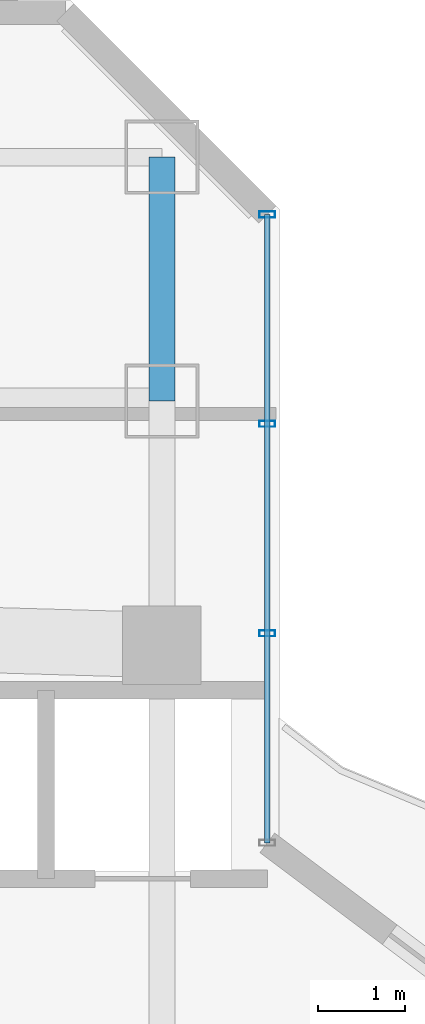
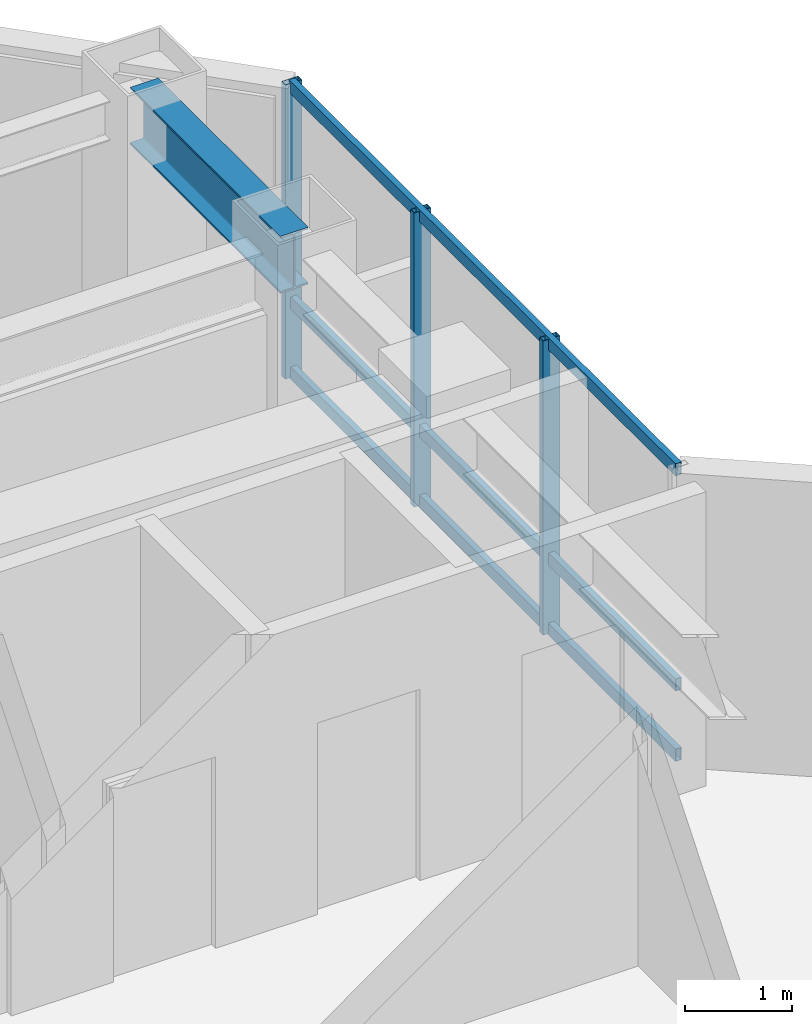
# One storey, part 19 of 27: 6 members, 1 beam, 1 element without a shape of its own.
"""IFC4 building model written with IfcOpenShell, lengths in metres."""

from ifc_helpers import new_model, si_unit, direction, frame, origin, origin_2d, place, context, subcontext, project, spatial, hollow_rectangle, i_section, extrude, material, layer, layer_set, material_profile, profile_set, type_object, element, aggregate, save


model = new_model("IFC4")

# Units and contexts
model_context = context("Model", 3, precision=1e-05, world=origin(), true_north=direction((0.0, 1.0)))
body_context = subcontext(model_context, "Body", "Model", "MODEL_VIEW")
ifc_project = project(units=[si_unit("LENGTHUNIT", "METRE"), si_unit("AREAUNIT", "SQUARE_METRE"), si_unit("VOLUMEUNIT", "CUBIC_METRE"), si_unit("PLANEANGLEUNIT", "RADIAN"), si_unit("MASSUNIT", "GRAM", prefix="KILO")], contexts=[model_context])

# Site, building, storey
site_placement = place(None, origin())
site = spatial("IfcSite", under=ifc_project, at=site_placement, CompositionType="ELEMENT")
building_placement = place(site_placement, origin())
building = spatial("IfcBuilding", under=site, at=building_placement, Name="Hatsunagi Terrace Concourse", CompositionType="ELEMENT")
storey_placement = place(building_placement, frame((0.0, 0.0, 156.449951171875)))
storey = spatial("IfcBuildingStorey", under=building, at=storey_placement, Name="L41", CompositionType="ELEMENT", Elevation=156.449951171875)

# Curtain wall, members
ifc_material_1 = material(Name="Anodised Aluminium Alloy 6063-T5", Category="aluminium")
ifc_layer = layer(ifc_material_1, 0.199951171875)
ifc_layer_set = layer_set([ifc_layer], Name="OfficeZone1_CW03")
curtain_wall_type = type_object("IfcCurtainWallType", Name="OfficeZone1_CW03", PredefinedType="NOTDEFINED", material=ifc_layer_set)
curtain_wall_placement = place(storey_placement, origin())
curtain_wall = element("IfcCurtainWall", 1, at=curtain_wall_placement, inside=storey, type_object=curtain_wall_type, Name="Unitised Curtain Wall CW-03 CW-L41-13", PredefinedType="NOTDEFINED")
ifc_material_2 = material(Name="Anodised Aluminium Alloy 6063-T5", Category="aluminium")
ifc_material_profile_1 = material_profile(ifc_material_2, hollow_rectangle(XDim=0.070068359375, YDim=0.179931640625, WallThickness=0.00390625, at=origin_2d()), Name="ALU-MUL-180x70x4")
ifc_profile_set_1 = profile_set([ifc_material_profile_1], Name="Anodised Aluminium Alloy 6063-T5")
member_type_1 = type_object("IfcMemberType", Name="CurtainWallMullion_180x70", PredefinedType="MULLION", material=ifc_profile_set_1)
member_1_placement = place(storey_placement, frame((44.860107421875, 47.94189453125, 0.0), z_axis=(0.0, 0.0, 1.0), x_axis=(0.0, -1.0, 0.0)))
member_1 = element("IfcMember", 2, at=member_1_placement, type_object=member_type_1, Name="Curtain Wall Mullion MUL-02", PredefinedType="MULLION", context=body_context, shape_type="SweptSolid", body=[
    extrude(hollow_rectangle(XDim=0.070068359375, YDim=0.179931640625, WallThickness=0.00390625, at=origin_2d()), origin(), (0.0, 0.0, 1.0), 3.35009765625),
])
member_2_placement = place(storey_placement, frame((44.860107421875, 45.5380859375, 0.0), z_axis=(0.0, 0.0, 1.0), x_axis=(0.0, -1.0, 0.0)))
member_2 = element("IfcMember", 3, at=member_2_placement, type_object=member_type_1, Name="Curtain Wall Mullion MUL-02", PredefinedType="MULLION", context=body_context, shape_type="SweptSolid", body=[
    extrude(hollow_rectangle(XDim=0.070068359375, YDim=0.179931640625, WallThickness=0.00390625, at=origin_2d()), origin(), (0.0, 0.0, 1.0), 3.35009765625),
])
member_3_placement = place(storey_placement, frame((44.860107421875, 43.134033203125, 0.0), z_axis=(0.0, 0.0, 1.0), x_axis=(0.0, -1.0, 0.0)))
member_3 = element("IfcMember", 4, at=member_3_placement, type_object=member_type_1, Name="Curtain Wall Mullion MUL-02", PredefinedType="MULLION", context=body_context, shape_type="SweptSolid", body=[
    extrude(hollow_rectangle(XDim=0.070068359375, YDim=0.179931640625, WallThickness=0.00390625, at=origin_2d()), origin(), (0.0, 0.0, 1.0), 3.35009765625),
])
ifc_material_3 = material(Name="Anodised Aluminium Alloy 6063-T5", Category="aluminium")
ifc_material_profile_2 = material_profile(ifc_material_3, hollow_rectangle(XDim=0.06494140625, YDim=0.139892578125, WallThickness=0.00390625, at=origin_2d()), Name="ALU-TRN-140x65x4")
ifc_profile_set_2 = profile_set([ifc_material_profile_2], Name="Anodised Aluminium Alloy 6063-T5")
member_type_2 = type_object("IfcMemberType", Name="CurtainWallTransom_140x65", PredefinedType="USERDEFINED", material=ifc_profile_set_2)
member_4_placement = place(storey_placement, frame((44.860107421875, 47.94189453125, 0.050048828125), z_axis=(0.0, -1.0, 0.0), x_axis=(1.0, 0.0, 0.0)))
member_4 = element("IfcMember", 5, at=member_4_placement, type_object=member_type_2, Name="Curtain Wall Transom TRN-02", ObjectType="TRANSOM", PredefinedType="USERDEFINED", context=body_context, shape_type="SweptSolid", body=[
    extrude(hollow_rectangle(XDim=0.06494140625, YDim=0.139892578125, WallThickness=0.00390625, at=origin_2d()), origin(), (0.0, 0.0, 1.0), 7.2119140625),
])
member_5_placement = place(storey_placement, frame((44.860107421875, 47.94189453125, 0.85009765625), z_axis=(0.0, -1.0, 0.0), x_axis=(1.0, 0.0, 0.0)))
member_5 = element("IfcMember", 6, at=member_5_placement, type_object=member_type_2, Name="Curtain Wall Transom TRN-02", ObjectType="TRANSOM", PredefinedType="USERDEFINED", context=body_context, shape_type="SweptSolid", body=[
    extrude(hollow_rectangle(XDim=0.06494140625, YDim=0.139892578125, WallThickness=0.00390625, at=origin_2d()), origin(), (0.0, 0.0, 1.0), 7.2119140625),
])
member_6_placement = place(storey_placement, frame((44.860107421875, 47.94189453125, 3.300048828125), z_axis=(0.0, -1.0, 0.0), x_axis=(1.0, 0.0, 0.0)))
member_6 = element("IfcMember", 7, at=member_6_placement, type_object=member_type_2, Name="Curtain Wall Transom TRN-02", ObjectType="TRANSOM", PredefinedType="USERDEFINED", context=body_context, shape_type="SweptSolid", body=[
    extrude(hollow_rectangle(XDim=0.06494140625, YDim=0.139892578125, WallThickness=0.00390625, at=origin_2d()), origin(), (0.0, 0.0, 1.0), 7.2119140625),
])
aggregate(curtain_wall, [member_1, member_2, member_3, member_4, member_5, member_6])

# Beam
ifc_material_4 = material(Name="Steel SN490B", Category="steel")
ifc_material_profile_3 = material_profile(ifc_material_4, i_section(OverallWidth=0.300048828125, OverallDepth=0.64990234375, WebThickness=0.012939453125, FlangeThickness=0.02197265625, FilletRadius=0.01806640625, at=origin_2d()), Name="H-650x300x13x22")
ifc_profile_set_3 = profile_set([ifc_material_profile_3], Name="Steel SN490B")
beam_type = type_object("IfcBeamType", Name="OfficeLowGirder_H_650x300", PredefinedType="BEAM", material=ifc_profile_set_3)
beam_placement = place(storey_placement, frame((43.64990234375, 45.800048828125, 3.025146484375), z_axis=(0.0, 1.0, 0.0), x_axis=(-1.0, 0.0, 0.0)))
element("IfcBeam", 8, at=beam_placement, inside=storey, type_object=beam_type, Name="Beam G-05 BM-L41-KN-WN6", PredefinedType="BEAM", context=body_context, shape_type="SweptSolid", body=[
    extrude(i_section(OverallWidth=0.300048828125, OverallDepth=0.64990234375, WebThickness=0.012939453125, FlangeThickness=0.02197265625, FilletRadius=0.01806640625, at=origin_2d()), origin(), (0.0, 0.0, 1.0), 2.800048828125),
])

save(model, "model.ifc")
